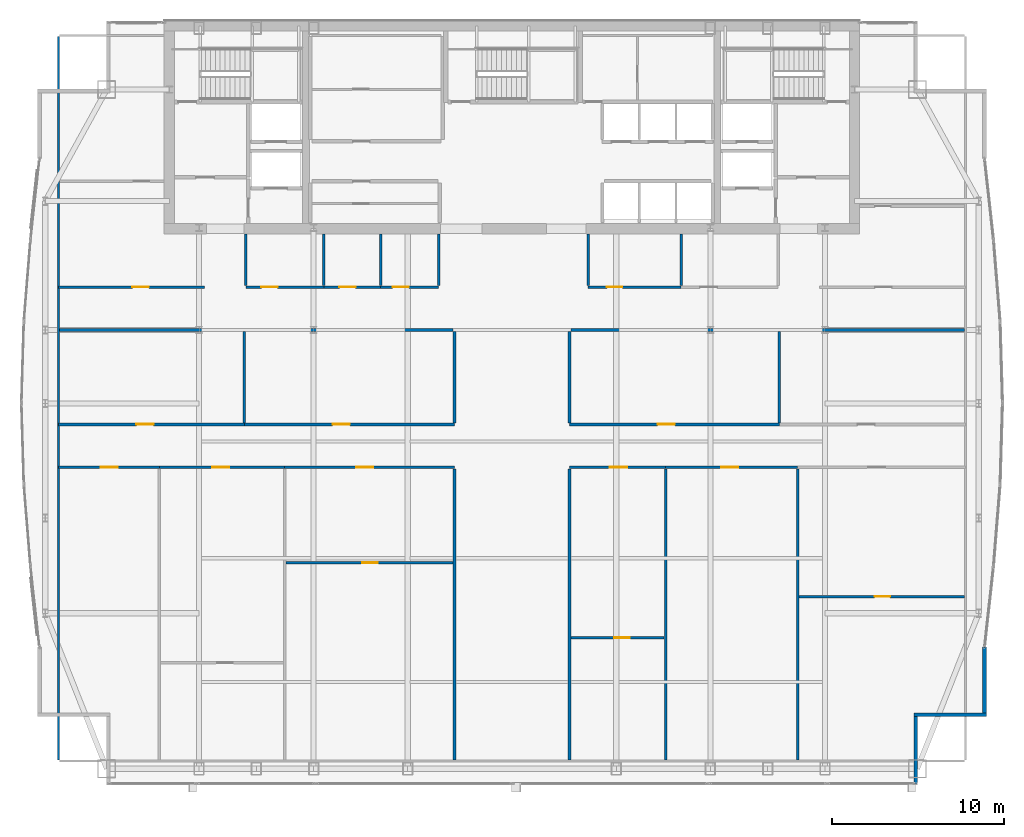
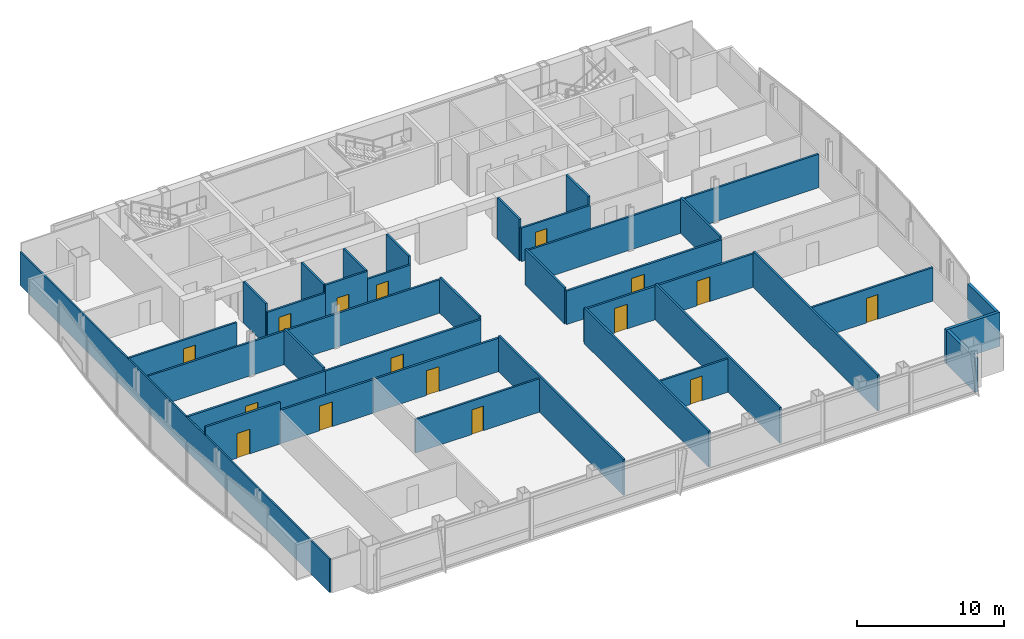
# One storey, part 24 of 29: 36 walls, 16 doors, 16 openings.
"""IFC4 building model written with IfcOpenShell, lengths in metres."""

from ifc_helpers import new_model, si_unit, direction, frame, frame_2d, origin, place, context, subcontext, project, spatial, rectangle, extrude, material, layer, layer_set, type_object, element, fill, save


model = new_model("IFC4")

# Units and contexts
model_context = context("Model", 3, precision=1e-05, world=origin(), true_north=direction((0.0, 1.0)))
body_context = subcontext(model_context, "Body", "Model", "MODEL_VIEW")
ifc_project = project(units=[si_unit("LENGTHUNIT", "METRE"), si_unit("AREAUNIT", "SQUARE_METRE"), si_unit("VOLUMEUNIT", "CUBIC_METRE"), si_unit("PLANEANGLEUNIT", "RADIAN"), si_unit("MASSUNIT", "GRAM", prefix="KILO")], contexts=[model_context])

# Site, building, storey
site_placement = place(None, origin())
site = spatial("IfcSite", under=ifc_project, at=site_placement, CompositionType="ELEMENT")
building_placement = place(site_placement, origin())
building = spatial("IfcBuilding", under=site, at=building_placement, Name="Khoronbel Lancet Exchange", CompositionType="ELEMENT")
storey_placement = place(building_placement, frame((0.0, 0.0, 242.60009765625)))
storey = spatial("IfcBuildingStorey", under=building, at=storey_placement, Name="L62", CompositionType="ELEMENT", Elevation=242.60009765625)

# Walls
ifc_material_1 = material(Name="Precast concrete C40/50", Category="concrete")
ifc_layer_1 = layer(ifc_material_1, 0.25, Name="Precast concrete C40/50")
ifc_layer_set_1 = layer_set([ifc_layer_1], Name="Precast concrete C40/50")
wall_type_1 = type_object("IfcWallType", Name="WL-EXT250", PredefinedType="SOLIDWALL", material=ifc_layer_set_1)
wall_1_placement = place(storey_placement, frame((63.9599609375, 17.22509765625, 0.0), z_axis=(0.0, 0.0, 1.0), x_axis=(0.0, -1.0, 0.0)))
element("IfcWall", 1, at=wall_1_placement, inside=storey, type_object=wall_type_1, Name="Level L62 notched-corner limestone pier 23", PredefinedType="SOLIDWALL", context=body_context, shape_type="SweptSolid", body=[
    extrude(rectangle(XDim=3.8251953125, YDim=0.219970703125, at=frame_2d((1.91259765625, 0.0))), origin(), (0.0, 0.0, 1.0), 2.829833984375),
])
wall_2_placement = place(storey_placement, frame((64.070068359375, 13.2900390625, 0.0), z_axis=(0.0, 0.0, 1.0), x_axis=(-1.0, 0.0, 0.0)))
element("IfcWall", 2, at=wall_2_placement, inside=storey, type_object=wall_type_1, Name="Level L62 notched-corner limestone pier 24", PredefinedType="SOLIDWALL", context=body_context, shape_type="SweptSolid", body=[
    extrude(rectangle(XDim=4.219970703125, YDim=0.219970703125, at=frame_2d((2.10986328125, 0.0))), origin(), (0.0, 0.0, 1.0), 2.829833984375),
])
wall_3_placement = place(storey_placement, frame((59.9599609375, 13.179931640625, 0.0), z_axis=(0.0, 0.0, 1.0), x_axis=(0.0, -1.0, 0.0)))
element("IfcWall", 3, at=wall_3_placement, inside=storey, type_object=wall_type_1, Name="Level L62 notched-corner limestone pier 25", PredefinedType="SOLIDWALL", context=body_context, shape_type="SweptSolid", body=[
    extrude(rectangle(XDim=3.909912109375, YDim=0.219970703125, at=frame_2d((1.955078125, 0.0))), origin(), (0.0, 0.0, 1.0), 2.829833984375),
])
ifc_material_2 = material(Name="Acoustic Metal-Stud & Mineral-Wool Gypsum Partition 120 mm", Category="gypsum")
ifc_layer_2 = layer(ifc_material_2, 0.1201171875, Name="Acoustic Metal-Stud & Mineral-Wool Gypsum Partition 120 mm")
ifc_layer_set_2 = layer_set([ifc_layer_2], Name="Acoustic Metal-Stud & Mineral-Wool Gypsum Partition 120 mm")
wall_type_2 = type_object("IfcWallType", Name="WL-PRT120", PredefinedType="PARTITIONING", material=ifc_layer_set_2)
for number, where, z_axis, x_axis, name in (
    (4, (20.949951171875, 38.280029296875, 0.0), (0.0, 0.0, 1.0), (0.0, 1.0, 0.0), "Level L62 interior partition PW-WC-0"),
    (5, (25.5, 38.280029296875, 0.0), (0.0, 0.0, 1.0), (0.0, 1.0, 0.0), "Level L62 interior partition PW-WC-1"),
    (6, (28.800048828125, 38.280029296875, 0.0), (0.0, 0.0, 1.0), (0.0, 1.0, 0.0), "Level L62 interior partition PW-WC-2"),
    (7, (32.179931640625, 38.280029296875, 0.0), (0.0, 0.0, 1.0), (0.0, 1.0, 0.0), "Level L62 interior partition PW-WC-3"),
    (8, (40.8798828125, 38.280029296875, 0.0), (0.0, 0.0, 1.0), (0.0, 1.0, 0.0), "Level L62 interior partition PW-NP-0"),
    (9, (46.300048828125, 38.280029296875, 0.0), (0.0, 0.0, 1.0), (0.0, 1.0, 0.0), "Level L62 interior partition PW-NP-M"),
):
    element("IfcWall", number, at=place(storey_placement, frame(where, z_axis=z_axis, x_axis=x_axis)), inside=storey, type_object=wall_type_2, Name=name, PredefinedType="PARTITIONING", context=body_context, shape_type="SweptSolid", body=[
        extrude(rectangle(XDim=3.02001953125, YDim=0.14990234375, at=frame_2d((1.510009765625, 0.0))), origin(), (0.0, 0.0, 1.0), 3.43994140625),
    ])

# Wall, opening, door
wall_4_placement = place(storey_placement, frame((23.296875, 22.141845703125, 0.0), z_axis=(0.0, 0.0, 1.0), x_axis=(1.0, 0.0, 0.0)))
wall_4 = element("IfcWall", 10, at=wall_4_placement, inside=storey, type_object=wall_type_2, Name="Level L62 interior partition PW-Z3SW-H3", PredefinedType="PARTITIONING", context=body_context, shape_type="SweptSolid", body=[
    extrude(rectangle(XDim=9.72314453125, YDim=0.14990234375, at=frame_2d((4.861572265625, 0.0))), origin(), (0.0, 0.0, 1.0), 2.77978515625),
])
opening_1_placement = place(wall_4_placement, frame((4.447509765625, 0.0, 0.0)))
opening_1 = element("IfcOpeningElement", 11, at=opening_1_placement, cuts=wall_4, Name="Opening D5", PredefinedType="OPENING", context=body_context, shape_type="SweptSolid", body=[
    extrude(rectangle(XDim=0.89990234375, YDim=2.050048828125, at=frame_2d((0.449951171875, 1.02490234375))), frame((0.0, 0.0849609375, 0.0), z_axis=(0.0, -1.0, 0.0), x_axis=(1.0, 0.0, 0.0)), (0.0, 0.0, 1.0), 0.169921875),
])
ifc_material_3 = material(Name="Acoustic Timber Pantry & Support Door", Category="wood")
door_type_1 = type_object("IfcDoorType", Name="DR-D5", OperationType="NOTDEFINED", PredefinedType="DOOR", material=ifc_material_3)
door_1_placement = place(opening_1_placement, origin())
door_1 = element("IfcDoor", 12, at=door_1_placement, inside=storey, type_object=door_type_1, Name="Z3SW inner door 3 L62-1", OperationType="SINGLE_SWING_RIGHT", OverallHeight=2.050048828125, OverallWidth=0.89990234375, PredefinedType="DOOR", context=body_context, shape_type="SweptSolid", body=[
    extrude(rectangle(XDim=0.89990234375, YDim=2.050048828125, at=frame_2d((0.449951171875, 1.02490234375))), frame((0.0, 0.02490234375, 0.0), z_axis=(0.0, -1.0, 0.0), x_axis=(1.0, 0.0, 0.0)), (0.0, 0.0, 1.0), 0.050048828125),
])
fill(opening_1, door_1)

wall_5_placement = place(storey_placement, frame((39.8798828125, 17.781982421875, 0.0), z_axis=(0.0, 0.0, 1.0), x_axis=(1.0, 0.0, 0.0)))
wall_5 = element("IfcWall", 13, at=wall_5_placement, inside=storey, type_object=wall_type_2, Name="Level L62 interior partition PW-Z3SE-H1", PredefinedType="PARTITIONING", context=body_context, shape_type="SweptSolid", body=[
    extrude(rectangle(XDim=5.432861328125, YDim=0.14990234375, at=frame_2d((2.71630859375, 0.0))), origin(), (0.0, 0.0, 1.0), 2.77978515625),
])
opening_2_placement = place(wall_5_placement, frame((2.5166015625, 0.0, 0.0)))
opening_2 = element("IfcOpeningElement", 14, at=opening_2_placement, cuts=wall_5, Name="Opening D5", PredefinedType="OPENING", context=body_context, shape_type="SweptSolid", body=[
    extrude(rectangle(XDim=0.89990234375, YDim=2.050048828125, at=frame_2d((0.449951171875, 1.02490234375))), frame((0.0, 0.0849609375, 0.0), z_axis=(0.0, -1.0, 0.0), x_axis=(1.0, 0.0, 0.0)), (0.0, 0.0, 1.0), 0.169921875),
])
door_2_placement = place(opening_2_placement, origin())
door_2 = element("IfcDoor", 15, at=door_2_placement, inside=storey, type_object=door_type_1, Name="Z3SE inner door 1 L62-1", OperationType="SINGLE_SWING_RIGHT", OverallHeight=2.050048828125, OverallWidth=0.89990234375, PredefinedType="DOOR", context=body_context, shape_type="SweptSolid", body=[
    extrude(rectangle(XDim=0.89990234375, YDim=2.050048828125, at=frame_2d((0.449951171875, 1.02490234375))), frame((0.0, 0.02490234375, 0.0), z_axis=(0.0, -1.0, 0.0), x_axis=(1.0, 0.0, 0.0)), (0.0, 0.0, 1.0), 0.050048828125),
])
fill(opening_2, door_2)

wall_6_placement = place(storey_placement, frame((53.16259765625, 20.176025390625, 0.0), z_axis=(0.0, 0.0, 1.0), x_axis=(1.0, 0.0, 0.0)))
wall_6 = element("IfcWall", 16, at=wall_6_placement, inside=storey, type_object=wall_type_2, Name="Level L62 interior partition PW-Z3SE-H3", PredefinedType="PARTITIONING", context=body_context, shape_type="SweptSolid", body=[
    extrude(rectangle(XDim=9.642333984375, YDim=0.14990234375, at=frame_2d((4.8212890625, 0.0))), origin(), (0.0, 0.0, 1.0), 2.77978515625),
])
opening_3_placement = place(wall_6_placement, frame((4.404296875, 0.0, 0.0)))
opening_3 = element("IfcOpeningElement", 17, at=opening_3_placement, cuts=wall_6, Name="Opening D5", PredefinedType="OPENING", context=body_context, shape_type="SweptSolid", body=[
    extrude(rectangle(XDim=0.89990234375, YDim=2.050048828125, at=frame_2d((0.449951171875, 1.02490234375))), frame((0.0, 0.0849609375, 0.0), z_axis=(0.0, -1.0, 0.0), x_axis=(1.0, 0.0, 0.0)), (0.0, 0.0, 1.0), 0.169921875),
])
door_3_placement = place(opening_3_placement, origin())
door_3 = element("IfcDoor", 18, at=door_3_placement, inside=storey, type_object=door_type_1, Name="Z3SE inner door 3 L62-1", OperationType="SINGLE_SWING_LEFT", OverallHeight=2.050048828125, OverallWidth=0.89990234375, PredefinedType="DOOR", context=body_context, shape_type="SweptSolid", body=[
    extrude(rectangle(XDim=0.89990234375, YDim=2.050048828125, at=frame_2d((0.449951171875, 1.02490234375))), frame((0.0, 0.02490234375, 0.0), z_axis=(0.0, -1.0, 0.0), x_axis=(1.0, 0.0, 0.0)), (0.0, 0.0, 1.0), 0.050048828125),
])
fill(opening_3, door_3)

# Wall
wall_7_placement = place(storey_placement, frame((10.030029296875, 10.6650390625, 0.0), z_axis=(0.0, 0.0, 1.0), x_axis=(0.0, 1.0, 0.0)))
element("IfcWall", 19, at=wall_7_placement, inside=storey, type_object=wall_type_2, Name="Level L62 interior partition PW-LIN-W", PredefinedType="PARTITIONING", context=body_context, shape_type="SweptSolid", body=[
    extrude(rectangle(XDim=42.10986328125, YDim=0.1201171875, at=frame_2d((21.054931640625, 0.0))), origin(), (0.0, 0.0, 1.0), 2.77978515625),
])

# Wall, opening, door
ifc_material_4 = material(Name="Fire-Rated Twin-Stud Acoustic Gypsum Partition 150 mm", Category="gypsum")
ifc_layer_3 = layer(ifc_material_4, 0.14990234375, Name="Fire-Rated Twin-Stud Acoustic Gypsum Partition 150 mm")
ifc_layer_set_3 = layer_set([ifc_layer_3], Name="Fire-Rated Twin-Stud Acoustic Gypsum Partition 150 mm")
wall_type_3 = type_object("IfcWallType", Name="WL-PRT150C", PredefinedType="PARTITIONING", material=ifc_layer_set_3)
wall_8_placement = place(storey_placement, frame((20.949951171875, 38.199951171875, 0.0), z_axis=(0.0, 0.0, 1.0), x_axis=(1.0, 0.0, 0.0)))
wall_8 = element("IfcWall", 20, at=wall_8_placement, inside=storey, type_object=wall_type_3, Name="Level L62 interior partition PW-WC-S1", PredefinedType="PARTITIONING", context=body_context, shape_type="SweptSolid", body=[
    extrude(rectangle(XDim=4.550048828125, YDim=0.14990234375, at=frame_2d((2.27490234375, 0.0))), origin(), (0.0, 0.0, 1.0), 2.77978515625),
])
opening_4_placement = place(wall_8_placement, frame((0.89990234375, 0.0, 0.0)))
opening_4 = element("IfcOpeningElement", 21, at=opening_4_placement, cuts=wall_8, Name="Opening D4", PredefinedType="OPENING", context=body_context, shape_type="SweptSolid", body=[
    extrude(rectangle(XDim=0.949951171875, YDim=2.050048828125, at=frame_2d((0.47509765625, 1.02490234375))), frame((0.0, 0.0849609375, 0.0), z_axis=(0.0, -1.0, 0.0), x_axis=(1.0, 0.0, 0.0)), (0.0, 0.0, 1.0), 0.169921875),
])
ifc_material_5 = material(Name="Moisture-Resistant HPL Washroom Door", Category="wood")
door_type_2 = type_object("IfcDoorType", Name="DR-D4", OperationType="NOTDEFINED", PredefinedType="DOOR", material=ifc_material_5)
door_4_placement = place(opening_4_placement, origin())
door_4 = element("IfcDoor", 22, at=door_4_placement, inside=storey, type_object=door_type_2, Name="Male washroom door L62-1", OperationType="SINGLE_SWING_LEFT", OverallHeight=2.050048828125, OverallWidth=0.949951171875, PredefinedType="DOOR", context=body_context, shape_type="SweptSolid", body=[
    extrude(rectangle(XDim=0.949951171875, YDim=2.050048828125, at=frame_2d((0.47509765625, 1.02490234375))), frame((0.0, 0.02490234375, 0.0), z_axis=(0.0, -1.0, 0.0), x_axis=(1.0, 0.0, 0.0)), (0.0, 0.0, 1.0), 0.050048828125),
])
fill(opening_4, door_4)

wall_9_placement = place(storey_placement, frame((25.5, 38.199951171875, 0.0), z_axis=(0.0, 0.0, 1.0), x_axis=(1.0, 0.0, 0.0)))
wall_9 = element("IfcWall", 23, at=wall_9_placement, inside=storey, type_object=wall_type_3, Name="Level L62 interior partition PW-WC-S2", PredefinedType="PARTITIONING", context=body_context, shape_type="SweptSolid", body=[
    extrude(rectangle(XDim=3.300048828125, YDim=0.14990234375, at=frame_2d((1.64990234375, 0.0))), origin(), (0.0, 0.0, 1.0), 3.43994140625),
])
opening_5_placement = place(wall_9_placement, frame((0.89990234375, 0.0, 0.0)))
opening_5 = element("IfcOpeningElement", 24, at=opening_5_placement, cuts=wall_9, Name="Opening D4", PredefinedType="OPENING", context=body_context, shape_type="SweptSolid", body=[
    extrude(rectangle(XDim=0.949951171875, YDim=2.050048828125, at=frame_2d((0.47509765625, 1.02490234375))), frame((0.0, 0.0849609375, 0.0), z_axis=(0.0, -1.0, 0.0), x_axis=(1.0, 0.0, 0.0)), (0.0, 0.0, 1.0), 0.169921875),
])
door_5_placement = place(opening_5_placement, origin())
door_5 = element("IfcDoor", 25, at=door_5_placement, inside=storey, type_object=door_type_2, Name="Female washroom door L62-1", OperationType="SINGLE_SWING_RIGHT", OverallHeight=2.050048828125, OverallWidth=0.949951171875, PredefinedType="DOOR", context=body_context, shape_type="SweptSolid", body=[
    extrude(rectangle(XDim=0.949951171875, YDim=2.050048828125, at=frame_2d((0.47509765625, 1.02490234375))), frame((0.0, 0.02490234375, 0.0), z_axis=(0.0, -1.0, 0.0), x_axis=(1.0, 0.0, 0.0)), (0.0, 0.0, 1.0), 0.050048828125),
])
fill(opening_5, door_5)

wall_10_placement = place(storey_placement, frame((28.800048828125, 38.199951171875, 0.0), z_axis=(0.0, 0.0, 1.0), x_axis=(1.0, 0.0, 0.0)))
wall_10 = element("IfcWall", 26, at=wall_10_placement, inside=storey, type_object=wall_type_3, Name="Level L62 interior partition PW-WC-S3", PredefinedType="PARTITIONING", context=body_context, shape_type="SweptSolid", body=[
    extrude(rectangle(XDim=3.3798828125, YDim=0.14990234375, at=frame_2d((1.68994140625, 0.0))), origin(), (0.0, 0.0, 1.0), 2.77978515625),
])
opening_6_placement = place(wall_10_placement, frame((0.699951171875, 0.0, 0.0)))
opening_6 = element("IfcOpeningElement", 27, at=opening_6_placement, cuts=wall_10, Name="Opening D4", PredefinedType="OPENING", context=body_context, shape_type="SweptSolid", body=[
    extrude(rectangle(XDim=0.949951171875, YDim=2.050048828125, at=frame_2d((0.47509765625, 1.02490234375))), frame((0.0, 0.0849609375, 0.0), z_axis=(0.0, -1.0, 0.0), x_axis=(1.0, 0.0, 0.0)), (0.0, 0.0, 1.0), 0.169921875),
])
door_6_placement = place(opening_6_placement, origin())
door_6 = element("IfcDoor", 28, at=door_6_placement, inside=storey, type_object=door_type_2, Name="Accessible WC door L62-1", OperationType="SINGLE_SWING_LEFT", OverallHeight=2.050048828125, OverallWidth=0.949951171875, PredefinedType="DOOR", context=body_context, shape_type="SweptSolid", body=[
    extrude(rectangle(XDim=0.949951171875, YDim=2.050048828125, at=frame_2d((0.47509765625, 1.02490234375))), frame((0.0, 0.02490234375, 0.0), z_axis=(0.0, -1.0, 0.0), x_axis=(1.0, 0.0, 0.0)), (0.0, 0.0, 1.0), 0.050048828125),
])
fill(opening_6, door_6)

wall_11_placement = place(storey_placement, frame((40.8798828125, 38.199951171875, 0.0), z_axis=(0.0, 0.0, 1.0), x_axis=(1.0, 0.0, 0.0)))
wall_11 = element("IfcWall", 29, at=wall_11_placement, inside=storey, type_object=wall_type_3, Name="Level L62 interior partition PW-NP-S1", PredefinedType="PARTITIONING", context=body_context, shape_type="SweptSolid", body=[
    extrude(rectangle(XDim=5.420166015625, YDim=0.14990234375, at=frame_2d((2.7099609375, 0.0))), origin(), (0.0, 0.0, 1.0), 2.77978515625),
])
opening_7_placement = place(wall_11_placement, frame((1.10009765625, 0.0, 0.0)))
opening_7 = element("IfcOpeningElement", 30, at=opening_7_placement, cuts=wall_11, Name="Opening D5", PredefinedType="OPENING", context=body_context, shape_type="SweptSolid", body=[
    extrude(rectangle(XDim=0.89990234375, YDim=2.050048828125, at=frame_2d((0.449951171875, 1.02490234375))), frame((0.0, 0.0849609375, 0.0), z_axis=(0.0, -1.0, 0.0), x_axis=(1.0, 0.0, 0.0)), (0.0, 0.0, 1.0), 0.169921875),
])
door_7_placement = place(opening_7_placement, origin())
door_7 = element("IfcDoor", 31, at=door_7_placement, inside=storey, type_object=door_type_1, Name="Floor refreshment pantry door L62-1", OperationType="SINGLE_SWING_RIGHT", OverallHeight=2.050048828125, OverallWidth=0.89990234375, PredefinedType="DOOR", context=body_context, shape_type="SweptSolid", body=[
    extrude(rectangle(XDim=0.89990234375, YDim=2.050048828125, at=frame_2d((0.449951171875, 1.02490234375))), frame((0.0, 0.02490234375, 0.0), z_axis=(0.0, -1.0, 0.0), x_axis=(1.0, 0.0, 0.0)), (0.0, 0.0, 1.0), 0.050048828125),
])
fill(opening_7, door_7)

wall_12_placement = place(storey_placement, frame((10.030029296875, 38.199951171875, 0.0), z_axis=(0.0, 0.0, 1.0), x_axis=(1.0, 0.0, 0.0)))
wall_12 = element("IfcWall", 32, at=wall_12_placement, inside=storey, type_object=wall_type_3, Name="Level L62 interior partition PW-NW-S", PredefinedType="PARTITIONING", context=body_context, shape_type="SweptSolid", body=[
    extrude(rectangle(XDim=8.52001953125, YDim=0.14990234375, at=frame_2d((4.260009765625, 0.0))), origin(), (0.0, 0.0, 1.0), 2.77978515625),
])
opening_8_placement = place(wall_12_placement, frame((4.320068359375, 0.0, 0.0)))
opening_8 = element("IfcOpeningElement", 33, at=opening_8_placement, cuts=wall_12, Name="Opening D1", PredefinedType="OPENING", context=body_context, shape_type="SweptSolid", body=[
    extrude(rectangle(XDim=0.949951171875, YDim=2.050048828125, at=frame_2d((0.47509765625, 1.02490234375))), frame((0.0, 0.0849609375, 0.0), z_axis=(0.0, -1.0, 0.0), x_axis=(1.0, 0.0, 0.0)), (0.0, 0.0, 1.0), 0.169921875),
])
ifc_material_6 = material(Name="Acoustic Veneered Timber & Bronze Frame Door", Category="wood")
door_type_3 = type_object("IfcDoorType", Name="DR-D1", OperationType="NOTDEFINED", PredefinedType="DOOR", material=ifc_material_6)
door_8_placement = place(opening_8_placement, origin())
door_8 = element("IfcDoor", 34, at=door_8_placement, inside=storey, type_object=door_type_3, Name="NW corner room door L62-1", OperationType="SINGLE_SWING_RIGHT", OverallHeight=2.050048828125, OverallWidth=0.949951171875, PredefinedType="DOOR", context=body_context, shape_type="SweptSolid", body=[
    extrude(rectangle(XDim=0.949951171875, YDim=2.050048828125, at=frame_2d((0.47509765625, 1.02490234375))), frame((0.0, 0.02490234375, 0.0), z_axis=(0.0, -1.0, 0.0), x_axis=(1.0, 0.0, 0.0)), (0.0, 0.0, 1.0), 0.050048828125),
])
fill(opening_8, door_8)

# Walls
for number, where, z_axis, x_axis, name in (
    (35, (33.10009765625, 10.6650390625, 0.0), (0.0, 0.0, 1.0), (0.0, 1.0, 0.0), "Level L62 interior partition PW-Z3-CW1"),
    (36, (39.800048828125, 10.6650390625, 0.0), (0.0, 0.0, 1.0), (0.0, 1.0, 0.0), "Level L62 interior partition PW-Z3-CE1"),
):
    element("IfcWall", number, at=place(storey_placement, frame(where, z_axis=z_axis, x_axis=x_axis)), inside=storey, type_object=wall_type_3, Name=name, PredefinedType="PARTITIONING", context=body_context, shape_type="SweptSolid", body=[
        extrude(rectangle(XDim=16.949951171875, YDim=0.14990234375, at=frame_2d((8.47509765625, 0.0))), origin(), (0.0, 0.0, 1.0), 2.97998046875),
    ])
for number, where, z_axis, x_axis, name in (
    (37, (33.10009765625, 30.284912109375, 0.0), (0.0, 0.0, 1.0), (0.0, 1.0, 0.0), "Level L62 interior partition PW-Z3-CW2"),
    (38, (39.800048828125, 30.284912109375, 0.0), (0.0, 0.0, 1.0), (0.0, 1.0, 0.0), "Level L62 interior partition PW-Z3-CE2"),
):
    element("IfcWall", number, at=place(storey_placement, frame(where, z_axis=z_axis, x_axis=x_axis)), inside=storey, type_object=wall_type_3, Name=name, PredefinedType="PARTITIONING", context=body_context, shape_type="SweptSolid", body=[
        extrude(rectangle(XDim=5.335205078125, YDim=0.14990234375, at=frame_2d((2.66748046875, 0.0))), origin(), (0.0, 0.0, 1.0), 2.97998046875),
    ])
for number, where, z_axis, x_axis, name in (
    (39, (10.094970703125, 35.699951171875, 0.0), (0.0, 0.0, 1.0), (1.0, 0.0, 0.0), "Level L62 interior partition PW-Z3-WN"),
    (40, (39.8798828125, 35.699951171875, 0.0), (0.0, 0.0, 1.0), (1.0, 0.0, 0.0), "Level L62 interior partition PW-Z3-EN"),
):
    element("IfcWall", number, at=place(storey_placement, frame(where, z_axis=z_axis, x_axis=x_axis)), inside=storey, type_object=wall_type_3, Name=name, PredefinedType="PARTITIONING", context=body_context, shape_type="SweptSolid", body=[
        extrude(rectangle(XDim=22.925048828125, YDim=0.14990234375, at=frame_2d((11.46240234375, 0.0))), origin(), (0.0, 0.0, 1.0), 2.77978515625),
    ])
for number, where, z_axis, x_axis, name in (
    (41, (45.392578125, 10.6650390625, 0.0), (0.0, 0.0, 1.0), (0.0, 1.0, 0.0), "Level L62 interior partition PW-Z3SE-V1"),
    (42, (53.082763671875, 10.6650390625, 0.0), (0.0, 0.0, 1.0), (0.0, 1.0, 0.0), "Level L62 interior partition PW-Z3SE-V2"),
):
    element("IfcWall", number, at=place(storey_placement, frame(where, z_axis=z_axis, x_axis=x_axis)), inside=storey, type_object=wall_type_3, Name=name, PredefinedType="PARTITIONING", context=body_context, shape_type="SweptSolid", body=[
        extrude(rectangle(XDim=16.949951171875, YDim=0.14990234375, at=frame_2d((8.47509765625, 0.0))), origin(), (0.0, 0.0, 1.0), 2.97998046875),
    ])
for number, where, z_axis, x_axis, name in (
    (43, (20.87060546875, 30.284912109375, 0.0), (0.0, 0.0, 1.0), (0.0, 1.0, 0.0), "Level L62 interior partition PW-Z3NW-V1"),
    (44, (52.013427734375, 30.284912109375, 0.0), (0.0, 0.0, 1.0), (0.0, 1.0, 0.0), "Level L62 interior partition PW-Z3NE-V1"),
):
    element("IfcWall", number, at=place(storey_placement, frame(where, z_axis=z_axis, x_axis=x_axis)), inside=storey, type_object=wall_type_3, Name=name, PredefinedType="PARTITIONING", context=body_context, shape_type="SweptSolid", body=[
        extrude(rectangle(XDim=5.335205078125, YDim=0.14990234375, at=frame_2d((2.66748046875, 0.0))), origin(), (0.0, 0.0, 1.0), 2.97998046875),
    ])

# Wall, opening, door
ifc_material_7 = material(Name="Fire-Rated Twin-Stud Acoustic Gypsum Partition 160 mm", Category="gypsum")
ifc_layer_4 = layer(ifc_material_7, 0.159912109375, Name="Fire-Rated Twin-Stud Acoustic Gypsum Partition 160 mm")
ifc_layer_set_4 = layer_set([ifc_layer_4], Name="Fire-Rated Twin-Stud Acoustic Gypsum Partition 160 mm")
wall_type_4 = type_object("IfcWallType", Name="WL-PRT160C", PredefinedType="PARTITIONING", material=ifc_layer_set_4)
wall_13_placement = place(storey_placement, frame((10.030029296875, 27.699951171875, 0.0), z_axis=(0.0, 0.0, 1.0), x_axis=(1.0, 0.0, 0.0)))
wall_13 = element("IfcWall", 45, at=wall_13_placement, inside=storey, type_object=wall_type_4, Name="Level L62 interior partition PW-Z3SW-COR1", PredefinedType="PARTITIONING", context=body_context, shape_type="SweptSolid", body=[
    extrude(rectangle(XDim=5.885986328125, YDim=0.159912109375, at=frame_2d((2.94287109375, 0.0))), origin(), (0.0, 0.0, 1.0), 3.43994140625),
])
opening_9_placement = place(wall_13_placement, frame((2.47216796875, 0.0, 0.0)))
opening_9 = element("IfcOpeningElement", 46, at=opening_9_placement, cuts=wall_13, Name="Opening D2", PredefinedType="OPENING", context=body_context, shape_type="SweptSolid", body=[
    extrude(rectangle(XDim=1.0, YDim=2.050048828125, at=frame_2d((0.5, 1.02490234375))), frame((0.0, 0.08984375, 0.0), z_axis=(0.0, -1.0, 0.0), x_axis=(1.0, 0.0, 0.0)), (0.0, 0.0, 1.0), 0.179931640625),
])
door_type_4 = type_object("IfcDoorType", Name="DR-D2", OperationType="NOTDEFINED", PredefinedType="DOOR", material=ifc_material_6)
door_9_placement = place(opening_9_placement, origin())
door_9 = element("IfcDoor", 47, at=door_9_placement, inside=storey, type_object=door_type_4, Name="Z3SW bay 1 door L62-1", OperationType="SINGLE_SWING_RIGHT", OverallHeight=2.050048828125, OverallWidth=1.0, PredefinedType="DOOR", context=body_context, shape_type="SweptSolid", body=[
    extrude(rectangle(XDim=1.0, YDim=2.050048828125, at=frame_2d((0.5, 1.02490234375))), frame((0.0, 0.02490234375, 0.0), z_axis=(0.0, -1.0, 0.0), x_axis=(1.0, 0.0, 0.0)), (0.0, 0.0, 1.0), 0.050048828125),
])
fill(opening_9, door_9)

wall_14_placement = place(storey_placement, frame((15.916015625, 27.699951171875, 0.0), z_axis=(0.0, 0.0, 1.0), x_axis=(1.0, 0.0, 0.0)))
wall_14 = element("IfcWall", 48, at=wall_14_placement, inside=storey, type_object=wall_type_4, Name="Level L62 interior partition PW-Z3SW-COR2", PredefinedType="PARTITIONING", context=body_context, shape_type="SweptSolid", body=[
    extrude(rectangle(XDim=7.30078125, YDim=0.159912109375, at=frame_2d((3.650390625, 0.0))), origin(), (0.0, 0.0, 1.0), 2.77978515625),
])
opening_10_placement = place(wall_14_placement, frame((3.06640625, 0.0, 0.0)))
opening_10 = element("IfcOpeningElement", 49, at=opening_10_placement, cuts=wall_14, Name="Opening D2", PredefinedType="OPENING", context=body_context, shape_type="SweptSolid", body=[
    extrude(rectangle(XDim=1.0, YDim=2.050048828125, at=frame_2d((0.5, 1.02490234375))), frame((0.0, 0.08984375, 0.0), z_axis=(0.0, -1.0, 0.0), x_axis=(1.0, 0.0, 0.0)), (0.0, 0.0, 1.0), 0.179931640625),
])
door_10_placement = place(opening_10_placement, origin())
door_10 = element("IfcDoor", 50, at=door_10_placement, inside=storey, type_object=door_type_4, Name="Z3SW bay 2 door L62-1", OperationType="SINGLE_SWING_LEFT", OverallHeight=2.050048828125, OverallWidth=1.0, PredefinedType="DOOR", context=body_context, shape_type="SweptSolid", body=[
    extrude(rectangle(XDim=1.0, YDim=2.050048828125, at=frame_2d((0.5, 1.02490234375))), frame((0.0, 0.02490234375, 0.0), z_axis=(0.0, -1.0, 0.0), x_axis=(1.0, 0.0, 0.0)), (0.0, 0.0, 1.0), 0.050048828125),
])
fill(opening_10, door_10)

wall_15_placement = place(storey_placement, frame((23.216796875, 27.699951171875, 0.0), z_axis=(0.0, 0.0, 1.0), x_axis=(1.0, 0.0, 0.0)))
wall_15 = element("IfcWall", 51, at=wall_15_placement, inside=storey, type_object=wall_type_4, Name="Level L62 interior partition PW-Z3SW-COR3", PredefinedType="PARTITIONING", context=body_context, shape_type="SweptSolid", body=[
    extrude(rectangle(XDim=9.88330078125, YDim=0.159912109375, at=frame_2d((4.941650390625, 0.0))), origin(), (0.0, 0.0, 1.0), 2.77978515625),
])
opening_11_placement = place(wall_15_placement, frame((4.15087890625, 0.0, 0.0)))
opening_11 = element("IfcOpeningElement", 52, at=opening_11_placement, cuts=wall_15, Name="Opening D2", PredefinedType="OPENING", context=body_context, shape_type="SweptSolid", body=[
    extrude(rectangle(XDim=1.0, YDim=2.050048828125, at=frame_2d((0.5, 1.02490234375))), frame((0.0, 0.08984375, 0.0), z_axis=(0.0, -1.0, 0.0), x_axis=(1.0, 0.0, 0.0)), (0.0, 0.0, 1.0), 0.179931640625),
])
door_11_placement = place(opening_11_placement, origin())
door_11 = element("IfcDoor", 53, at=door_11_placement, inside=storey, type_object=door_type_4, Name="Z3SW bay 3 door L62-1", OperationType="SINGLE_SWING_LEFT", OverallHeight=2.050048828125, OverallWidth=1.0, PredefinedType="DOOR", context=body_context, shape_type="SweptSolid", body=[
    extrude(rectangle(XDim=1.0, YDim=2.050048828125, at=frame_2d((0.5, 1.02490234375))), frame((0.0, 0.02490234375, 0.0), z_axis=(0.0, -1.0, 0.0), x_axis=(1.0, 0.0, 0.0)), (0.0, 0.0, 1.0), 0.050048828125),
])
fill(opening_11, door_11)

wall_16_placement = place(storey_placement, frame((39.800048828125, 27.699951171875, 0.0), z_axis=(0.0, 0.0, 1.0), x_axis=(1.0, 0.0, 0.0)))
wall_16 = element("IfcWall", 54, at=wall_16_placement, inside=storey, type_object=wall_type_4, Name="Level L62 interior partition PW-Z3SE-COR1", PredefinedType="PARTITIONING", context=body_context, shape_type="SweptSolid", body=[
    extrude(rectangle(XDim=5.592529296875, YDim=0.159912109375, at=frame_2d((2.79638671875, 0.0))), origin(), (0.0, 0.0, 1.0), 2.77978515625),
])
opening_12_placement = place(wall_16_placement, frame((2.348876953125, 0.0, 0.0)))
opening_12 = element("IfcOpeningElement", 55, at=opening_12_placement, cuts=wall_16, Name="Opening D2", PredefinedType="OPENING", context=body_context, shape_type="SweptSolid", body=[
    extrude(rectangle(XDim=1.0, YDim=2.050048828125, at=frame_2d((0.5, 1.02490234375))), frame((0.0, 0.08984375, 0.0), z_axis=(0.0, -1.0, 0.0), x_axis=(1.0, 0.0, 0.0)), (0.0, 0.0, 1.0), 0.179931640625),
])
door_12_placement = place(opening_12_placement, origin())
door_12 = element("IfcDoor", 56, at=door_12_placement, inside=storey, type_object=door_type_4, Name="Z3SE bay 1 door L62-1", OperationType="SINGLE_SWING_LEFT", OverallHeight=2.050048828125, OverallWidth=1.0, PredefinedType="DOOR", context=body_context, shape_type="SweptSolid", body=[
    extrude(rectangle(XDim=1.0, YDim=2.050048828125, at=frame_2d((0.5, 1.02490234375))), frame((0.0, 0.02490234375, 0.0), z_axis=(0.0, -1.0, 0.0), x_axis=(1.0, 0.0, 0.0)), (0.0, 0.0, 1.0), 0.050048828125),
])
fill(opening_12, door_12)

wall_17_placement = place(storey_placement, frame((45.392578125, 27.699951171875, 0.0), z_axis=(0.0, 0.0, 1.0), x_axis=(1.0, 0.0, 0.0)))
wall_17 = element("IfcWall", 57, at=wall_17_placement, inside=storey, type_object=wall_type_4, Name="Level L62 interior partition PW-Z3SE-COR2", PredefinedType="PARTITIONING", context=body_context, shape_type="SweptSolid", body=[
    extrude(rectangle(XDim=7.690185546875, YDim=0.159912109375, at=frame_2d((3.84521484375, 0.0))), origin(), (0.0, 0.0, 1.0), 2.77978515625),
])
opening_13_placement = place(wall_17_placement, frame((3.229736328125, 0.0, 0.0)))
opening_13 = element("IfcOpeningElement", 58, at=opening_13_placement, cuts=wall_17, Name="Opening D2", PredefinedType="OPENING", context=body_context, shape_type="SweptSolid", body=[
    extrude(rectangle(XDim=1.0, YDim=2.050048828125, at=frame_2d((0.5, 1.02490234375))), frame((0.0, 0.08984375, 0.0), z_axis=(0.0, -1.0, 0.0), x_axis=(1.0, 0.0, 0.0)), (0.0, 0.0, 1.0), 0.179931640625),
])
door_13_placement = place(opening_13_placement, origin())
door_13 = element("IfcDoor", 59, at=door_13_placement, inside=storey, type_object=door_type_4, Name="Z3SE bay 2 door L62-1", OperationType="SINGLE_SWING_LEFT", OverallHeight=2.050048828125, OverallWidth=1.0, PredefinedType="DOOR", context=body_context, shape_type="SweptSolid", body=[
    extrude(rectangle(XDim=1.0, YDim=2.050048828125, at=frame_2d((0.5, 1.02490234375))), frame((0.0, 0.02490234375, 0.0), z_axis=(0.0, -1.0, 0.0), x_axis=(1.0, 0.0, 0.0)), (0.0, 0.0, 1.0), 0.050048828125),
])
fill(opening_13, door_13)

wall_18_placement = place(storey_placement, frame((10.030029296875, 30.199951171875, 0.0), z_axis=(0.0, 0.0, 1.0), x_axis=(1.0, 0.0, 0.0)))
wall_18 = element("IfcWall", 60, at=wall_18_placement, inside=storey, type_object=wall_type_4, Name="Level L62 interior partition PW-Z3NW-COR1", PredefinedType="PARTITIONING", context=body_context, shape_type="SweptSolid", body=[
    extrude(rectangle(XDim=10.840576171875, YDim=0.159912109375, at=frame_2d((5.42041015625, 0.0))), origin(), (0.0, 0.0, 1.0), 2.77978515625),
])
opening_14_placement = place(wall_18_placement, frame((4.552978515625, 0.0, 0.0)))
opening_14 = element("IfcOpeningElement", 61, at=opening_14_placement, cuts=wall_18, Name="Opening D2", PredefinedType="OPENING", context=body_context, shape_type="SweptSolid", body=[
    extrude(rectangle(XDim=1.0, YDim=2.050048828125, at=frame_2d((0.5, 1.02490234375))), frame((0.0, 0.08984375, 0.0), z_axis=(0.0, -1.0, 0.0), x_axis=(1.0, 0.0, 0.0)), (0.0, 0.0, 1.0), 0.179931640625),
])
door_14_placement = place(opening_14_placement, origin())
door_14 = element("IfcDoor", 62, at=door_14_placement, inside=storey, type_object=door_type_4, Name="Z3NW bay 1 door L62-1", OperationType="SINGLE_SWING_RIGHT", OverallHeight=2.050048828125, OverallWidth=1.0, PredefinedType="DOOR", context=body_context, shape_type="SweptSolid", body=[
    extrude(rectangle(XDim=1.0, YDim=2.050048828125, at=frame_2d((0.5, 1.02490234375))), frame((0.0, 0.02490234375, 0.0), z_axis=(0.0, -1.0, 0.0), x_axis=(1.0, 0.0, 0.0)), (0.0, 0.0, 1.0), 0.050048828125),
])
fill(opening_14, door_14)

wall_19_placement = place(storey_placement, frame((20.87060546875, 30.199951171875, 0.0), z_axis=(0.0, 0.0, 1.0), x_axis=(1.0, 0.0, 0.0)))
wall_19 = element("IfcWall", 63, at=wall_19_placement, inside=storey, type_object=wall_type_4, Name="Level L62 interior partition PW-Z3NW-COR2", PredefinedType="PARTITIONING", context=body_context, shape_type="SweptSolid", body=[
    extrude(rectangle(XDim=12.2294921875, YDim=0.159912109375, at=frame_2d((6.11474609375, 0.0))), origin(), (0.0, 0.0, 1.0), 2.77978515625),
])
opening_15_placement = place(wall_19_placement, frame((5.13623046875, 0.0, 0.0)))
opening_15 = element("IfcOpeningElement", 64, at=opening_15_placement, cuts=wall_19, Name="Opening D2", PredefinedType="OPENING", context=body_context, shape_type="SweptSolid", body=[
    extrude(rectangle(XDim=1.0, YDim=2.050048828125, at=frame_2d((0.5, 1.02490234375))), frame((0.0, 0.08984375, 0.0), z_axis=(0.0, -1.0, 0.0), x_axis=(1.0, 0.0, 0.0)), (0.0, 0.0, 1.0), 0.179931640625),
])
door_15_placement = place(opening_15_placement, origin())
door_15 = element("IfcDoor", 65, at=door_15_placement, inside=storey, type_object=door_type_4, Name="Z3NW bay 2 door L62-1", OperationType="SINGLE_SWING_LEFT", OverallHeight=2.050048828125, OverallWidth=1.0, PredefinedType="DOOR", context=body_context, shape_type="SweptSolid", body=[
    extrude(rectangle(XDim=1.0, YDim=2.050048828125, at=frame_2d((0.5, 1.02490234375))), frame((0.0, 0.02490234375, 0.0), z_axis=(0.0, -1.0, 0.0), x_axis=(1.0, 0.0, 0.0)), (0.0, 0.0, 1.0), 0.050048828125),
])
fill(opening_15, door_15)

wall_20_placement = place(storey_placement, frame((39.800048828125, 30.199951171875, 0.0), z_axis=(0.0, 0.0, 1.0), x_axis=(1.0, 0.0, 0.0)))
wall_20 = element("IfcWall", 66, at=wall_20_placement, inside=storey, type_object=wall_type_4, Name="Level L62 interior partition PW-Z3NE-COR1", PredefinedType="PARTITIONING", context=body_context, shape_type="SweptSolid", body=[
    extrude(rectangle(XDim=12.21337890625, YDim=0.159912109375, at=frame_2d((6.106689453125, 0.0))), origin(), (0.0, 0.0, 1.0), 2.77978515625),
])
opening_16_placement = place(wall_20_placement, frame((5.129638671875, 0.0, 0.0)))
opening_16 = element("IfcOpeningElement", 67, at=opening_16_placement, cuts=wall_20, Name="Opening D2", PredefinedType="OPENING", context=body_context, shape_type="SweptSolid", body=[
    extrude(rectangle(XDim=1.0, YDim=2.050048828125, at=frame_2d((0.5, 1.02490234375))), frame((0.0, 0.08984375, 0.0), z_axis=(0.0, -1.0, 0.0), x_axis=(1.0, 0.0, 0.0)), (0.0, 0.0, 1.0), 0.179931640625),
])
door_16_placement = place(opening_16_placement, origin())
door_16 = element("IfcDoor", 68, at=door_16_placement, inside=storey, type_object=door_type_4, Name="Z3NE bay 1 door L62-1", OperationType="SINGLE_SWING_RIGHT", OverallHeight=2.050048828125, OverallWidth=1.0, PredefinedType="DOOR", context=body_context, shape_type="SweptSolid", body=[
    extrude(rectangle(XDim=1.0, YDim=2.050048828125, at=frame_2d((0.5, 1.02490234375))), frame((0.0, 0.02490234375, 0.0), z_axis=(0.0, -1.0, 0.0), x_axis=(1.0, 0.0, 0.0)), (0.0, 0.0, 1.0), 0.050048828125),
])
fill(opening_16, door_16)

save(model, "model.ifc")
